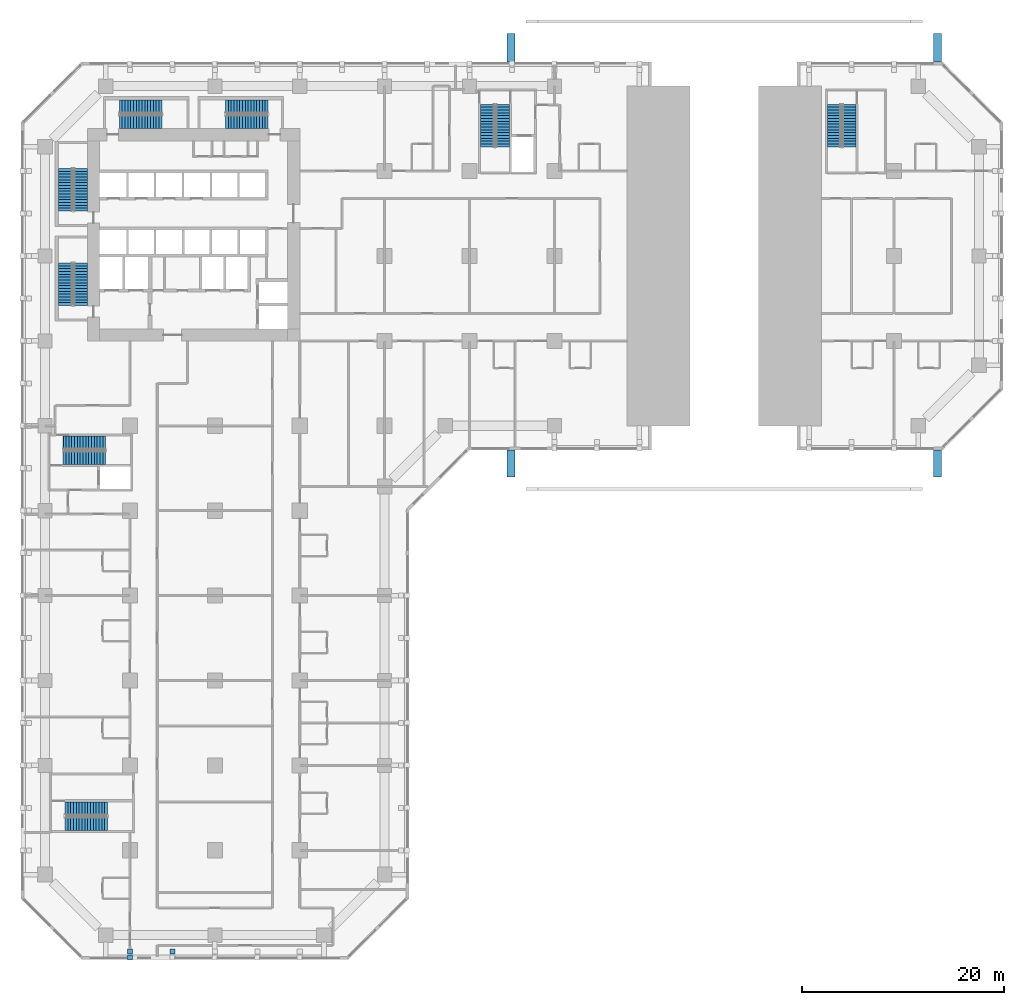
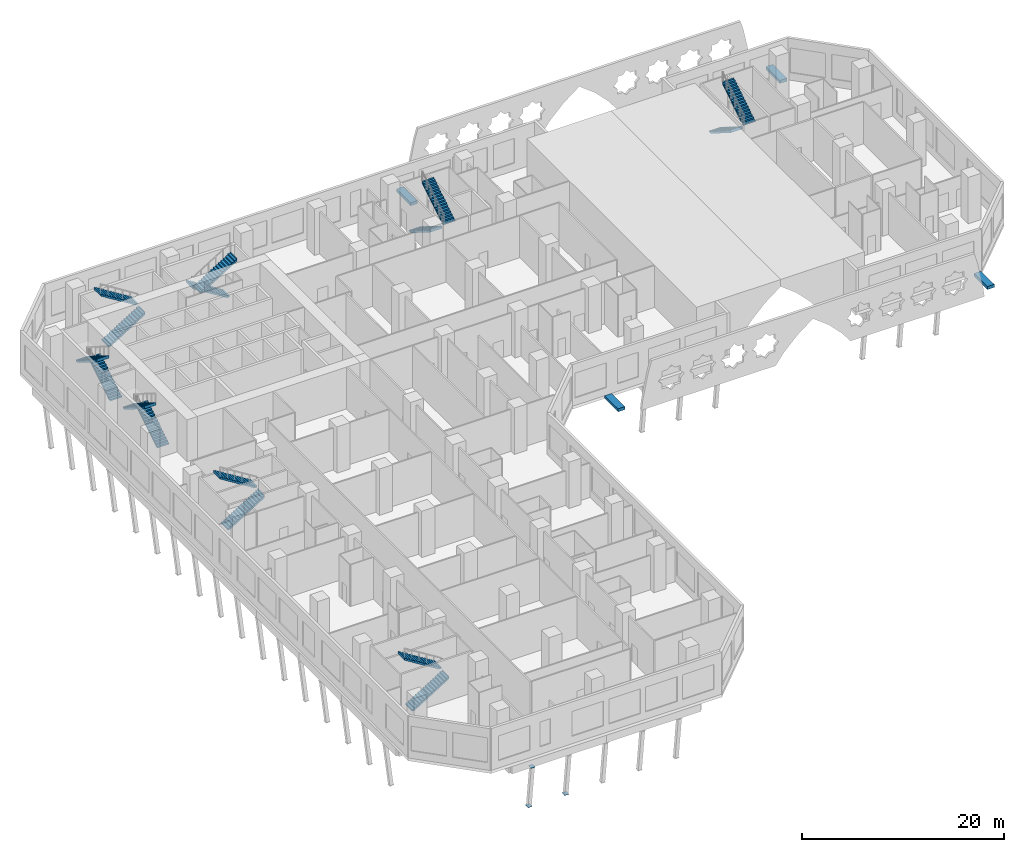
# One storey, part 15 of 24: 16 stair flights, 7 discrete accessories, 8 elements without a shape of their own.
"""IFC4 building model written with IfcOpenShell, lengths in metres."""

from ifc_helpers import new_model, si_unit, direction, frame, origin, origin_2d, place, context, subcontext, project, spatial, polyline, rectangle, outline, extrude, material, material_profile, profile_set, type_object, element, aggregate, save


model = new_model("IFC4")

# Units and contexts
model_context = context("Model", 3, precision=1e-05, world=origin(), true_north=direction((0.0, 1.0)))
body_context = subcontext(model_context, "Body", "Model", "MODEL_VIEW")
ifc_project = project(units=[si_unit("LENGTHUNIT", "METRE"), si_unit("AREAUNIT", "SQUARE_METRE"), si_unit("VOLUMEUNIT", "CUBIC_METRE"), si_unit("PLANEANGLEUNIT", "RADIAN"), si_unit("MASSUNIT", "GRAM", prefix="KILO")], contexts=[model_context])

# Site, building, storey
site_placement = place(None, origin())
site = spatial("IfcSite", under=ifc_project, at=site_placement, CompositionType="ELEMENT")
building_placement = place(site_placement, origin())
building = spatial("IfcBuilding", under=site, at=building_placement, Name="Kawkab Arch Medical Tower", CompositionType="ELEMENT")
storey_placement = place(building_placement, frame((0.0, 0.0, 18.199951171875)))
storey = spatial("IfcBuildingStorey", under=building, at=storey_placement, Name="L04", CompositionType="ELEMENT", Elevation=18.199951171875)

# Stair, stair flights
ifc_material_1 = material(Name="Concrete C40/50", Category="concrete")
stair_type = type_object("IfcStairType", Name="Exit stair 1350", PredefinedType="HALF_TURN_STAIR", material=ifc_material_1)
placement = place(storey_placement, origin())
stair_1 = element("IfcStair", 1, at=placement, inside=storey, type_object=stair_type, Name="L04 Exit stair ST1", PredefinedType="HALF_TURN_STAIR")
ifc_material_2 = material(Name="Concrete C40/50", Category="concrete")
stair_flight_type = type_object("IfcStairFlightType", Name="Exit stair flight 1350", PredefinedType="STRAIGHT", material=ifc_material_2)
stair_flight_1_placement = place(storey_placement, frame((3.52490234375, -12.35009765625, 0.0), z_axis=(0.0, 0.0, 1.0), x_axis=(0.0, 1.0, 0.0)))
stair_flight_1 = element("IfcStairFlight", 2, at=stair_flight_1_placement, type_object=stair_flight_type, Name="ST1 flight 1", NumberOfRisers=16, NumberOfTreads=15, PredefinedType="STRAIGHT", RiserHeight=0.175, TreadLength=0.28, context=body_context, shape_type="SweptSolid", body=[
    extrude(outline(polyline([(-0.0029296875, 0.0), (-0.0029296875, 0.175048828125), (0.0, 0.175048828125), (0.280029296875, 0.175048828125), (0.280029296875, 0.35009765625), (0.56005859375, 0.35009765625), (0.56005859375, 0.52490234375), (0.840087890625, 0.52490234375), (0.840087890625, 0.699951171875), (1.1201171875, 0.699951171875), (1.1201171875, 0.875), (1.39990234375, 0.875), (1.39990234375, 1.050048828125), (1.679931640625, 1.050048828125), (1.679931640625, 1.22509765625), (1.9599609375, 1.22509765625), (1.9599609375, 1.39990234375), (2.239990234375, 1.39990234375), (2.239990234375, 1.574951171875), (2.52001953125, 1.574951171875), (2.52001953125, 1.75), (2.800048828125, 1.75), (2.800048828125, 1.925048828125), (3.080078125, 1.925048828125), (3.080078125, 2.10009765625), (3.360107421875, 2.10009765625), (3.360107421875, 2.27490234375), (3.639892578125, 2.27490234375), (3.639892578125, 2.449951171875), (3.919921875, 2.449951171875), (3.919921875, 2.625), (4.199951171875, 2.625), (4.199951171875, 2.800048828125), (4.202880859375, 2.800048828125), (4.202880859375, 2.4482421875), (4.199951171875, 2.4482421875), (0.28271484375, 0.0), (-0.0029296875, 0.0)])), frame((0.0, 0.675048828125, 0.0), z_axis=(0.0, -1.0, 0.0), x_axis=(1.0, 0.0, 0.0)), (0.0, 0.0, 1.0), 1.35009765625),
])
stair_flight_2_placement = place(storey_placement, frame((2.02490234375, -8.14990234375, 2.800048828125), z_axis=(0.0, 0.0, 1.0), x_axis=(0.0, -1.0, 0.0)))
stair_flight_2 = element("IfcStairFlight", 3, at=stair_flight_2_placement, type_object=stair_flight_type, Name="ST1 flight 2", NumberOfRisers=16, NumberOfTreads=15, PredefinedType="STRAIGHT", RiserHeight=0.175, TreadLength=0.28, context=body_context, shape_type="SweptSolid", body=[
    extrude(outline(polyline([(-0.0029296875, 0.0), (-0.0029296875, 0.175048828125), (0.0, 0.175048828125), (0.280029296875, 0.175048828125), (0.280029296875, 0.35009765625), (0.56005859375, 0.35009765625), (0.56005859375, 0.52490234375), (0.840087890625, 0.52490234375), (0.840087890625, 0.699951171875), (1.1201171875, 0.699951171875), (1.1201171875, 0.875), (1.39990234375, 0.875), (1.39990234375, 1.050048828125), (1.679931640625, 1.050048828125), (1.679931640625, 1.22509765625), (1.9599609375, 1.22509765625), (1.9599609375, 1.39990234375), (2.239990234375, 1.39990234375), (2.239990234375, 1.574951171875), (2.52001953125, 1.574951171875), (2.52001953125, 1.75), (2.800048828125, 1.75), (2.800048828125, 1.925048828125), (3.080078125, 1.925048828125), (3.080078125, 2.10009765625), (3.360107421875, 2.10009765625), (3.360107421875, 2.27490234375), (3.639892578125, 2.27490234375), (3.639892578125, 2.449951171875), (3.919921875, 2.449951171875), (3.919921875, 2.625), (4.199951171875, 2.625), (4.199951171875, 2.800048828125), (4.202880859375, 2.800048828125), (4.202880859375, 2.4482421875), (4.199951171875, 2.4482421875), (0.28271484375, 0.0), (-0.0029296875, 0.0)])), frame((0.0, 0.675048828125, 0.0), z_axis=(0.0, -1.0, 0.0), x_axis=(1.0, 0.0, 0.0)), (0.0, 0.0, 1.0), 1.35009765625),
])
aggregate(stair_1, [stair_flight_1, stair_flight_2])

stair_2 = element("IfcStair", 4, at=placement, inside=storey, type_object=stair_type, Name="L04 Exit stair ST10", PredefinedType="HALF_TURN_STAIR")
stair_flight_3_placement = place(storey_placement, frame((1.97509765625, -72.97509765625, 0.0), z_axis=(0.0, 0.0, 1.0), x_axis=(1.0, 0.0, 0.0)))
stair_flight_3 = element("IfcStairFlight", 5, at=stair_flight_3_placement, type_object=stair_flight_type, Name="ST10 flight 1", NumberOfRisers=16, NumberOfTreads=15, PredefinedType="STRAIGHT", RiserHeight=0.175, TreadLength=0.28, context=body_context, shape_type="SweptSolid", body=[
    extrude(outline(polyline([(-0.0029296875, 0.0), (-0.0029296875, 0.175048828125), (0.0, 0.175048828125), (0.280029296875, 0.175048828125), (0.280029296875, 0.35009765625), (0.56005859375, 0.35009765625), (0.56005859375, 0.52490234375), (0.840087890625, 0.52490234375), (0.840087890625, 0.699951171875), (1.1201171875, 0.699951171875), (1.1201171875, 0.875), (1.39990234375, 0.875), (1.39990234375, 1.050048828125), (1.679931640625, 1.050048828125), (1.679931640625, 1.22509765625), (1.9599609375, 1.22509765625), (1.9599609375, 1.39990234375), (2.239990234375, 1.39990234375), (2.239990234375, 1.574951171875), (2.52001953125, 1.574951171875), (2.52001953125, 1.75), (2.800048828125, 1.75), (2.800048828125, 1.925048828125), (3.080078125, 1.925048828125), (3.080078125, 2.10009765625), (3.360107421875, 2.10009765625), (3.360107421875, 2.27490234375), (3.639892578125, 2.27490234375), (3.639892578125, 2.449951171875), (3.919921875, 2.449951171875), (3.919921875, 2.625), (4.199951171875, 2.625), (4.199951171875, 2.800048828125), (4.202880859375, 2.800048828125), (4.202880859375, 2.4482421875), (4.199951171875, 2.4482421875), (0.28271484375, 0.0), (-0.0029296875, 0.0)])), frame((0.0, 0.675048828125, 0.0), z_axis=(0.0, -1.0, 0.0), x_axis=(1.0, 0.0, 0.0)), (0.0, 0.0, 1.0), 1.35009765625),
])
stair_flight_4_placement = place(storey_placement, frame((6.175048828125, -71.47509765625, 2.800048828125), z_axis=(0.0, 0.0, 1.0), x_axis=(-1.0, 0.0, 0.0)))
stair_flight_4 = element("IfcStairFlight", 6, at=stair_flight_4_placement, type_object=stair_flight_type, Name="ST10 flight 2", NumberOfRisers=16, NumberOfTreads=15, PredefinedType="STRAIGHT", RiserHeight=0.175, TreadLength=0.28, context=body_context, shape_type="SweptSolid", body=[
    extrude(outline(polyline([(-0.0029296875, 0.0), (-0.0029296875, 0.175048828125), (0.0, 0.175048828125), (0.280029296875, 0.175048828125), (0.280029296875, 0.35009765625), (0.56005859375, 0.35009765625), (0.56005859375, 0.52490234375), (0.840087890625, 0.52490234375), (0.840087890625, 0.699951171875), (1.1201171875, 0.699951171875), (1.1201171875, 0.875), (1.39990234375, 0.875), (1.39990234375, 1.050048828125), (1.679931640625, 1.050048828125), (1.679931640625, 1.22509765625), (1.9599609375, 1.22509765625), (1.9599609375, 1.39990234375), (2.239990234375, 1.39990234375), (2.239990234375, 1.574951171875), (2.52001953125, 1.574951171875), (2.52001953125, 1.75), (2.800048828125, 1.75), (2.800048828125, 1.925048828125), (3.080078125, 1.925048828125), (3.080078125, 2.10009765625), (3.360107421875, 2.10009765625), (3.360107421875, 2.27490234375), (3.639892578125, 2.27490234375), (3.639892578125, 2.449951171875), (3.919921875, 2.449951171875), (3.919921875, 2.625), (4.199951171875, 2.625), (4.199951171875, 2.800048828125), (4.202880859375, 2.800048828125), (4.202880859375, 2.4482421875), (4.199951171875, 2.4482421875), (0.28271484375, 0.0), (-0.0029296875, 0.0)])), frame((0.0, 0.675048828125, 0.0), z_axis=(0.0, -1.0, 0.0), x_axis=(1.0, 0.0, 0.0)), (0.0, 0.0, 1.0), 1.35009765625),
])
aggregate(stair_2, [stair_flight_3, stair_flight_4])

stair_3 = element("IfcStair", 7, at=placement, inside=storey, type_object=stair_type, Name="L04 Exit stair ST2", PredefinedType="HALF_TURN_STAIR")
stair_flight_5_placement = place(storey_placement, frame((3.52490234375, -21.699951171875, 0.0), z_axis=(0.0, 0.0, 1.0), x_axis=(0.0, 1.0, 0.0)))
stair_flight_5 = element("IfcStairFlight", 8, at=stair_flight_5_placement, type_object=stair_flight_type, Name="ST2 flight 1", NumberOfRisers=16, NumberOfTreads=15, PredefinedType="STRAIGHT", RiserHeight=0.175, TreadLength=0.28, context=body_context, shape_type="SweptSolid", body=[
    extrude(outline(polyline([(-0.0029296875, 0.0), (-0.0029296875, 0.175048828125), (0.0, 0.175048828125), (0.280029296875, 0.175048828125), (0.280029296875, 0.35009765625), (0.56005859375, 0.35009765625), (0.56005859375, 0.52490234375), (0.840087890625, 0.52490234375), (0.840087890625, 0.699951171875), (1.1201171875, 0.699951171875), (1.1201171875, 0.875), (1.39990234375, 0.875), (1.39990234375, 1.050048828125), (1.679931640625, 1.050048828125), (1.679931640625, 1.22509765625), (1.9599609375, 1.22509765625), (1.9599609375, 1.39990234375), (2.239990234375, 1.39990234375), (2.239990234375, 1.574951171875), (2.52001953125, 1.574951171875), (2.52001953125, 1.75), (2.800048828125, 1.75), (2.800048828125, 1.925048828125), (3.080078125, 1.925048828125), (3.080078125, 2.10009765625), (3.360107421875, 2.10009765625), (3.360107421875, 2.27490234375), (3.639892578125, 2.27490234375), (3.639892578125, 2.449951171875), (3.919921875, 2.449951171875), (3.919921875, 2.625), (4.199951171875, 2.625), (4.199951171875, 2.800048828125), (4.202880859375, 2.800048828125), (4.202880859375, 2.4482421875), (4.199951171875, 2.4482421875), (0.28271484375, 0.0), (-0.0029296875, 0.0)])), frame((0.0, 0.675048828125, 0.0), z_axis=(0.0, -1.0, 0.0), x_axis=(1.0, 0.0, 0.0)), (0.0, 0.0, 1.0), 1.35009765625),
])
stair_flight_6_placement = place(storey_placement, frame((2.02490234375, -17.5, 2.800048828125), z_axis=(0.0, 0.0, 1.0), x_axis=(0.0, -1.0, 0.0)))
stair_flight_6 = element("IfcStairFlight", 9, at=stair_flight_6_placement, type_object=stair_flight_type, Name="ST2 flight 2", NumberOfRisers=16, NumberOfTreads=15, PredefinedType="STRAIGHT", RiserHeight=0.175, TreadLength=0.28, context=body_context, shape_type="SweptSolid", body=[
    extrude(outline(polyline([(-0.0029296875, 0.0), (-0.0029296875, 0.175048828125), (0.0, 0.175048828125), (0.280029296875, 0.175048828125), (0.280029296875, 0.35009765625), (0.56005859375, 0.35009765625), (0.56005859375, 0.52490234375), (0.840087890625, 0.52490234375), (0.840087890625, 0.699951171875), (1.1201171875, 0.699951171875), (1.1201171875, 0.875), (1.39990234375, 0.875), (1.39990234375, 1.050048828125), (1.679931640625, 1.050048828125), (1.679931640625, 1.22509765625), (1.9599609375, 1.22509765625), (1.9599609375, 1.39990234375), (2.239990234375, 1.39990234375), (2.239990234375, 1.574951171875), (2.52001953125, 1.574951171875), (2.52001953125, 1.75), (2.800048828125, 1.75), (2.800048828125, 1.925048828125), (3.080078125, 1.925048828125), (3.080078125, 2.10009765625), (3.360107421875, 2.10009765625), (3.360107421875, 2.27490234375), (3.639892578125, 2.27490234375), (3.639892578125, 2.449951171875), (3.919921875, 2.449951171875), (3.919921875, 2.625), (4.199951171875, 2.625), (4.199951171875, 2.800048828125), (4.202880859375, 2.800048828125), (4.202880859375, 2.4482421875), (4.199951171875, 2.4482421875), (0.28271484375, 0.0), (-0.0029296875, 0.0)])), frame((0.0, 0.675048828125, 0.0), z_axis=(0.0, -1.0, 0.0), x_axis=(1.0, 0.0, 0.0)), (0.0, 0.0, 1.0), 1.35009765625),
])
aggregate(stair_3, [stair_flight_5, stair_flight_6])

stair_4 = element("IfcStair", 10, at=placement, inside=storey, type_object=stair_type, Name="L04 Exit stair ST3", PredefinedType="HALF_TURN_STAIR")
stair_flight_7_placement = place(storey_placement, frame((7.35009765625, -3.52490234375, 0.0), z_axis=(0.0, 0.0, 1.0), x_axis=(1.0, 0.0, 0.0)))
stair_flight_7 = element("IfcStairFlight", 11, at=stair_flight_7_placement, type_object=stair_flight_type, Name="ST3 flight 1", NumberOfRisers=16, NumberOfTreads=15, PredefinedType="STRAIGHT", RiserHeight=0.175, TreadLength=0.28, context=body_context, shape_type="SweptSolid", body=[
    extrude(outline(polyline([(-0.0029296875, 0.0), (-0.0029296875, 0.175048828125), (0.0, 0.175048828125), (0.280029296875, 0.175048828125), (0.280029296875, 0.35009765625), (0.56005859375, 0.35009765625), (0.56005859375, 0.52490234375), (0.840087890625, 0.52490234375), (0.840087890625, 0.699951171875), (1.1201171875, 0.699951171875), (1.1201171875, 0.875), (1.39990234375, 0.875), (1.39990234375, 1.050048828125), (1.679931640625, 1.050048828125), (1.679931640625, 1.22509765625), (1.9599609375, 1.22509765625), (1.9599609375, 1.39990234375), (2.239990234375, 1.39990234375), (2.239990234375, 1.574951171875), (2.52001953125, 1.574951171875), (2.52001953125, 1.75), (2.800048828125, 1.75), (2.800048828125, 1.925048828125), (3.080078125, 1.925048828125), (3.080078125, 2.10009765625), (3.360107421875, 2.10009765625), (3.360107421875, 2.27490234375), (3.639892578125, 2.27490234375), (3.639892578125, 2.449951171875), (3.919921875, 2.449951171875), (3.919921875, 2.625), (4.199951171875, 2.625), (4.199951171875, 2.800048828125), (4.202880859375, 2.800048828125), (4.202880859375, 2.4482421875), (4.199951171875, 2.4482421875), (0.28271484375, 0.0), (-0.0029296875, 0.0)])), frame((0.0, 0.675048828125, 0.0), z_axis=(0.0, -1.0, 0.0), x_axis=(1.0, 0.0, 0.0)), (0.0, 0.0, 1.0), 1.35009765625),
])
stair_flight_8_placement = place(storey_placement, frame((11.550048828125, -2.02490234375, 2.800048828125), z_axis=(0.0, 0.0, 1.0), x_axis=(-1.0, 0.0, 0.0)))
stair_flight_8 = element("IfcStairFlight", 12, at=stair_flight_8_placement, type_object=stair_flight_type, Name="ST3 flight 2", NumberOfRisers=16, NumberOfTreads=15, PredefinedType="STRAIGHT", RiserHeight=0.175, TreadLength=0.28, context=body_context, shape_type="SweptSolid", body=[
    extrude(outline(polyline([(-0.0029296875, 0.0), (-0.0029296875, 0.175048828125), (0.0, 0.175048828125), (0.280029296875, 0.175048828125), (0.280029296875, 0.35009765625), (0.56005859375, 0.35009765625), (0.56005859375, 0.52490234375), (0.840087890625, 0.52490234375), (0.840087890625, 0.699951171875), (1.1201171875, 0.699951171875), (1.1201171875, 0.875), (1.39990234375, 0.875), (1.39990234375, 1.050048828125), (1.679931640625, 1.050048828125), (1.679931640625, 1.22509765625), (1.9599609375, 1.22509765625), (1.9599609375, 1.39990234375), (2.239990234375, 1.39990234375), (2.239990234375, 1.574951171875), (2.52001953125, 1.574951171875), (2.52001953125, 1.75), (2.800048828125, 1.75), (2.800048828125, 1.925048828125), (3.080078125, 1.925048828125), (3.080078125, 2.10009765625), (3.360107421875, 2.10009765625), (3.360107421875, 2.27490234375), (3.639892578125, 2.27490234375), (3.639892578125, 2.449951171875), (3.919921875, 2.449951171875), (3.919921875, 2.625), (4.199951171875, 2.625), (4.199951171875, 2.800048828125), (4.202880859375, 2.800048828125), (4.202880859375, 2.4482421875), (4.199951171875, 2.4482421875), (0.28271484375, 0.0), (-0.0029296875, 0.0)])), frame((0.0, 0.675048828125, 0.0), z_axis=(0.0, -1.0, 0.0), x_axis=(1.0, 0.0, 0.0)), (0.0, 0.0, 1.0), 1.35009765625),
])
aggregate(stair_4, [stair_flight_7, stair_flight_8])

stair_5 = element("IfcStair", 13, at=placement, inside=storey, type_object=stair_type, Name="L04 Exit stair ST4", PredefinedType="HALF_TURN_STAIR")
stair_flight_9_placement = place(storey_placement, frame((22.050048828125, -2.02490234375, 0.0), z_axis=(0.0, 0.0, 1.0), x_axis=(-1.0, 0.0, 0.0)))
stair_flight_9 = element("IfcStairFlight", 14, at=stair_flight_9_placement, type_object=stair_flight_type, Name="ST4 flight 1", NumberOfRisers=16, NumberOfTreads=15, PredefinedType="STRAIGHT", RiserHeight=0.175, TreadLength=0.28, context=body_context, shape_type="SweptSolid", body=[
    extrude(outline(polyline([(-0.0029296875, 0.0), (-0.0029296875, 0.175048828125), (0.0, 0.175048828125), (0.280029296875, 0.175048828125), (0.280029296875, 0.35009765625), (0.56005859375, 0.35009765625), (0.56005859375, 0.52490234375), (0.840087890625, 0.52490234375), (0.840087890625, 0.699951171875), (1.1201171875, 0.699951171875), (1.1201171875, 0.875), (1.39990234375, 0.875), (1.39990234375, 1.050048828125), (1.679931640625, 1.050048828125), (1.679931640625, 1.22509765625), (1.9599609375, 1.22509765625), (1.9599609375, 1.39990234375), (2.239990234375, 1.39990234375), (2.239990234375, 1.574951171875), (2.52001953125, 1.574951171875), (2.52001953125, 1.75), (2.800048828125, 1.75), (2.800048828125, 1.925048828125), (3.080078125, 1.925048828125), (3.080078125, 2.10009765625), (3.360107421875, 2.10009765625), (3.360107421875, 2.27490234375), (3.639892578125, 2.27490234375), (3.639892578125, 2.449951171875), (3.919921875, 2.449951171875), (3.919921875, 2.625), (4.199951171875, 2.625), (4.199951171875, 2.800048828125), (4.202880859375, 2.800048828125), (4.202880859375, 2.4482421875), (4.199951171875, 2.4482421875), (0.28271484375, 0.0), (-0.0029296875, 0.0)])), frame((0.0, 0.675048828125, 0.0), z_axis=(0.0, -1.0, 0.0), x_axis=(1.0, 0.0, 0.0)), (0.0, 0.0, 1.0), 1.35009765625),
])
stair_flight_10_placement = place(storey_placement, frame((17.85009765625, -3.52490234375, 2.800048828125), z_axis=(0.0, 0.0, 1.0), x_axis=(1.0, 0.0, 0.0)))
stair_flight_10 = element("IfcStairFlight", 15, at=stair_flight_10_placement, type_object=stair_flight_type, Name="ST4 flight 2", NumberOfRisers=16, NumberOfTreads=15, PredefinedType="STRAIGHT", RiserHeight=0.175, TreadLength=0.28, context=body_context, shape_type="SweptSolid", body=[
    extrude(outline(polyline([(-0.0029296875, 0.0), (-0.0029296875, 0.175048828125), (0.0, 0.175048828125), (0.280029296875, 0.175048828125), (0.280029296875, 0.35009765625), (0.56005859375, 0.35009765625), (0.56005859375, 0.52490234375), (0.840087890625, 0.52490234375), (0.840087890625, 0.699951171875), (1.1201171875, 0.699951171875), (1.1201171875, 0.875), (1.39990234375, 0.875), (1.39990234375, 1.050048828125), (1.679931640625, 1.050048828125), (1.679931640625, 1.22509765625), (1.9599609375, 1.22509765625), (1.9599609375, 1.39990234375), (2.239990234375, 1.39990234375), (2.239990234375, 1.574951171875), (2.52001953125, 1.574951171875), (2.52001953125, 1.75), (2.800048828125, 1.75), (2.800048828125, 1.925048828125), (3.080078125, 1.925048828125), (3.080078125, 2.10009765625), (3.360107421875, 2.10009765625), (3.360107421875, 2.27490234375), (3.639892578125, 2.27490234375), (3.639892578125, 2.449951171875), (3.919921875, 2.449951171875), (3.919921875, 2.625), (4.199951171875, 2.625), (4.199951171875, 2.800048828125), (4.202880859375, 2.800048828125), (4.202880859375, 2.4482421875), (4.199951171875, 2.4482421875), (0.28271484375, 0.0), (-0.0029296875, 0.0)])), frame((0.0, 0.675048828125, 0.0), z_axis=(0.0, -1.0, 0.0), x_axis=(1.0, 0.0, 0.0)), (0.0, 0.0, 1.0), 1.35009765625),
])
aggregate(stair_5, [stair_flight_9, stair_flight_10])

stair_6 = element("IfcStair", 16, at=placement, inside=storey, type_object=stair_type, Name="L04 Exit stair ST5", PredefinedType="HALF_TURN_STAIR")
stair_flight_11_placement = place(storey_placement, frame((43.77490234375, -1.800048828125, 0.0), z_axis=(0.0, 0.0, 1.0), x_axis=(0.0, -1.0, 0.0)))
stair_flight_11 = element("IfcStairFlight", 17, at=stair_flight_11_placement, type_object=stair_flight_type, Name="ST5 flight 1", NumberOfRisers=16, NumberOfTreads=15, PredefinedType="STRAIGHT", RiserHeight=0.175, TreadLength=0.28, context=body_context, shape_type="SweptSolid", body=[
    extrude(outline(polyline([(-0.0029296875, 0.0), (-0.0029296875, 0.175048828125), (0.0, 0.175048828125), (0.280029296875, 0.175048828125), (0.280029296875, 0.35009765625), (0.56005859375, 0.35009765625), (0.56005859375, 0.52490234375), (0.840087890625, 0.52490234375), (0.840087890625, 0.699951171875), (1.1201171875, 0.699951171875), (1.1201171875, 0.875), (1.39990234375, 0.875), (1.39990234375, 1.050048828125), (1.679931640625, 1.050048828125), (1.679931640625, 1.22509765625), (1.9599609375, 1.22509765625), (1.9599609375, 1.39990234375), (2.239990234375, 1.39990234375), (2.239990234375, 1.574951171875), (2.52001953125, 1.574951171875), (2.52001953125, 1.75), (2.800048828125, 1.75), (2.800048828125, 1.925048828125), (3.080078125, 1.925048828125), (3.080078125, 2.10009765625), (3.360107421875, 2.10009765625), (3.360107421875, 2.27490234375), (3.639892578125, 2.27490234375), (3.639892578125, 2.449951171875), (3.919921875, 2.449951171875), (3.919921875, 2.625), (4.199951171875, 2.625), (4.199951171875, 2.800048828125), (4.202880859375, 2.800048828125), (4.202880859375, 2.4482421875), (4.199951171875, 2.4482421875), (0.28271484375, 0.0), (-0.0029296875, 0.0)])), frame((0.0, 0.675048828125, 0.0), z_axis=(0.0, -1.0, 0.0), x_axis=(1.0, 0.0, 0.0)), (0.0, 0.0, 1.0), 1.35009765625),
])
stair_flight_12_placement = place(storey_placement, frame((45.27490234375, -6.0, 2.800048828125), z_axis=(0.0, 0.0, 1.0), x_axis=(0.0, 1.0, 0.0)))
stair_flight_12 = element("IfcStairFlight", 18, at=stair_flight_12_placement, type_object=stair_flight_type, Name="ST5 flight 2", NumberOfRisers=16, NumberOfTreads=15, PredefinedType="STRAIGHT", RiserHeight=0.175, TreadLength=0.28, context=body_context, shape_type="SweptSolid", body=[
    extrude(outline(polyline([(-0.0029296875, 0.0), (-0.0029296875, 0.175048828125), (0.0, 0.175048828125), (0.280029296875, 0.175048828125), (0.280029296875, 0.35009765625), (0.56005859375, 0.35009765625), (0.56005859375, 0.52490234375), (0.840087890625, 0.52490234375), (0.840087890625, 0.699951171875), (1.1201171875, 0.699951171875), (1.1201171875, 0.875), (1.39990234375, 0.875), (1.39990234375, 1.050048828125), (1.679931640625, 1.050048828125), (1.679931640625, 1.22509765625), (1.9599609375, 1.22509765625), (1.9599609375, 1.39990234375), (2.239990234375, 1.39990234375), (2.239990234375, 1.574951171875), (2.52001953125, 1.574951171875), (2.52001953125, 1.75), (2.800048828125, 1.75), (2.800048828125, 1.925048828125), (3.080078125, 1.925048828125), (3.080078125, 2.10009765625), (3.360107421875, 2.10009765625), (3.360107421875, 2.27490234375), (3.639892578125, 2.27490234375), (3.639892578125, 2.449951171875), (3.919921875, 2.449951171875), (3.919921875, 2.625), (4.199951171875, 2.625), (4.199951171875, 2.800048828125), (4.202880859375, 2.800048828125), (4.202880859375, 2.4482421875), (4.199951171875, 2.4482421875), (0.28271484375, 0.0), (-0.0029296875, 0.0)])), frame((0.0, 0.675048828125, 0.0), z_axis=(0.0, -1.0, 0.0), x_axis=(1.0, 0.0, 0.0)), (0.0, 0.0, 1.0), 1.35009765625),
])
aggregate(stair_6, [stair_flight_11, stair_flight_12])

stair_7 = element("IfcStair", 19, at=placement, inside=storey, type_object=stair_type, Name="L04 Exit stair ST6", PredefinedType="HALF_TURN_STAIR")
stair_flight_13_placement = place(storey_placement, frame((1.800048828125, -36.77490234375, 0.0), z_axis=(0.0, 0.0, 1.0), x_axis=(1.0, 0.0, 0.0)))
stair_flight_13 = element("IfcStairFlight", 20, at=stair_flight_13_placement, type_object=stair_flight_type, Name="ST6 flight 1", NumberOfRisers=16, NumberOfTreads=15, PredefinedType="STRAIGHT", RiserHeight=0.175, TreadLength=0.28, context=body_context, shape_type="SweptSolid", body=[
    extrude(outline(polyline([(-0.0029296875, 0.0), (-0.0029296875, 0.175048828125), (0.0, 0.175048828125), (0.280029296875, 0.175048828125), (0.280029296875, 0.35009765625), (0.56005859375, 0.35009765625), (0.56005859375, 0.52490234375), (0.840087890625, 0.52490234375), (0.840087890625, 0.699951171875), (1.1201171875, 0.699951171875), (1.1201171875, 0.875), (1.39990234375, 0.875), (1.39990234375, 1.050048828125), (1.679931640625, 1.050048828125), (1.679931640625, 1.22509765625), (1.9599609375, 1.22509765625), (1.9599609375, 1.39990234375), (2.239990234375, 1.39990234375), (2.239990234375, 1.574951171875), (2.52001953125, 1.574951171875), (2.52001953125, 1.75), (2.800048828125, 1.75), (2.800048828125, 1.925048828125), (3.080078125, 1.925048828125), (3.080078125, 2.10009765625), (3.360107421875, 2.10009765625), (3.360107421875, 2.27490234375), (3.639892578125, 2.27490234375), (3.639892578125, 2.449951171875), (3.919921875, 2.449951171875), (3.919921875, 2.625), (4.199951171875, 2.625), (4.199951171875, 2.800048828125), (4.202880859375, 2.800048828125), (4.202880859375, 2.4482421875), (4.199951171875, 2.4482421875), (0.28271484375, 0.0), (-0.0029296875, 0.0)])), frame((0.0, 0.675048828125, 0.0), z_axis=(0.0, -1.0, 0.0), x_axis=(1.0, 0.0, 0.0)), (0.0, 0.0, 1.0), 1.35009765625),
])
stair_flight_14_placement = place(storey_placement, frame((6.0, -35.27490234375, 2.800048828125), z_axis=(0.0, 0.0, 1.0), x_axis=(-1.0, 0.0, 0.0)))
stair_flight_14 = element("IfcStairFlight", 21, at=stair_flight_14_placement, type_object=stair_flight_type, Name="ST6 flight 2", NumberOfRisers=16, NumberOfTreads=15, PredefinedType="STRAIGHT", RiserHeight=0.175, TreadLength=0.28, context=body_context, shape_type="SweptSolid", body=[
    extrude(outline(polyline([(-0.0029296875, 0.0), (-0.0029296875, 0.175048828125), (0.0, 0.175048828125), (0.280029296875, 0.175048828125), (0.280029296875, 0.35009765625), (0.56005859375, 0.35009765625), (0.56005859375, 0.52490234375), (0.840087890625, 0.52490234375), (0.840087890625, 0.699951171875), (1.1201171875, 0.699951171875), (1.1201171875, 0.875), (1.39990234375, 0.875), (1.39990234375, 1.050048828125), (1.679931640625, 1.050048828125), (1.679931640625, 1.22509765625), (1.9599609375, 1.22509765625), (1.9599609375, 1.39990234375), (2.239990234375, 1.39990234375), (2.239990234375, 1.574951171875), (2.52001953125, 1.574951171875), (2.52001953125, 1.75), (2.800048828125, 1.75), (2.800048828125, 1.925048828125), (3.080078125, 1.925048828125), (3.080078125, 2.10009765625), (3.360107421875, 2.10009765625), (3.360107421875, 2.27490234375), (3.639892578125, 2.27490234375), (3.639892578125, 2.449951171875), (3.919921875, 2.449951171875), (3.919921875, 2.625), (4.199951171875, 2.625), (4.199951171875, 2.800048828125), (4.202880859375, 2.800048828125), (4.202880859375, 2.4482421875), (4.199951171875, 2.4482421875), (0.28271484375, 0.0), (-0.0029296875, 0.0)])), frame((0.0, 0.675048828125, 0.0), z_axis=(0.0, -1.0, 0.0), x_axis=(1.0, 0.0, 0.0)), (0.0, 0.0, 1.0), 1.35009765625),
])
aggregate(stair_7, [stair_flight_13, stair_flight_14])

stair_8 = element("IfcStair", 22, at=placement, inside=storey, type_object=stair_type, Name="L04 Exit stair ST7", PredefinedType="HALF_TURN_STAIR")
stair_flight_15_placement = place(storey_placement, frame((78.074951171875, -1.800048828125, 0.0), z_axis=(0.0, 0.0, 1.0), x_axis=(0.0, -1.0, 0.0)))
stair_flight_15 = element("IfcStairFlight", 23, at=stair_flight_15_placement, type_object=stair_flight_type, Name="ST7 flight 1", NumberOfRisers=16, NumberOfTreads=15, PredefinedType="STRAIGHT", RiserHeight=0.175, TreadLength=0.28, context=body_context, shape_type="SweptSolid", body=[
    extrude(outline(polyline([(-0.0029296875, 0.0), (-0.0029296875, 0.175048828125), (0.0, 0.175048828125), (0.280029296875, 0.175048828125), (0.280029296875, 0.35009765625), (0.56005859375, 0.35009765625), (0.56005859375, 0.52490234375), (0.840087890625, 0.52490234375), (0.840087890625, 0.699951171875), (1.1201171875, 0.699951171875), (1.1201171875, 0.875), (1.39990234375, 0.875), (1.39990234375, 1.050048828125), (1.679931640625, 1.050048828125), (1.679931640625, 1.22509765625), (1.9599609375, 1.22509765625), (1.9599609375, 1.39990234375), (2.239990234375, 1.39990234375), (2.239990234375, 1.574951171875), (2.52001953125, 1.574951171875), (2.52001953125, 1.75), (2.800048828125, 1.75), (2.800048828125, 1.925048828125), (3.080078125, 1.925048828125), (3.080078125, 2.10009765625), (3.360107421875, 2.10009765625), (3.360107421875, 2.27490234375), (3.639892578125, 2.27490234375), (3.639892578125, 2.449951171875), (3.919921875, 2.449951171875), (3.919921875, 2.625), (4.199951171875, 2.625), (4.199951171875, 2.800048828125), (4.202880859375, 2.800048828125), (4.202880859375, 2.4482421875), (4.199951171875, 2.4482421875), (0.28271484375, 0.0), (-0.0029296875, 0.0)])), frame((0.0, 0.675048828125, 0.0), z_axis=(0.0, -1.0, 0.0), x_axis=(1.0, 0.0, 0.0)), (0.0, 0.0, 1.0), 1.35009765625),
])
stair_flight_16_placement = place(storey_placement, frame((79.574951171875, -6.0, 2.800048828125), z_axis=(0.0, 0.0, 1.0), x_axis=(0.0, 1.0, 0.0)))
stair_flight_16 = element("IfcStairFlight", 24, at=stair_flight_16_placement, type_object=stair_flight_type, Name="ST7 flight 2", NumberOfRisers=16, NumberOfTreads=15, PredefinedType="STRAIGHT", RiserHeight=0.175, TreadLength=0.28, context=body_context, shape_type="SweptSolid", body=[
    extrude(outline(polyline([(-0.0029296875, 0.0), (-0.0029296875, 0.175048828125), (0.0, 0.175048828125), (0.280029296875, 0.175048828125), (0.280029296875, 0.35009765625), (0.56005859375, 0.35009765625), (0.56005859375, 0.52490234375), (0.840087890625, 0.52490234375), (0.840087890625, 0.699951171875), (1.1201171875, 0.699951171875), (1.1201171875, 0.875), (1.39990234375, 0.875), (1.39990234375, 1.050048828125), (1.679931640625, 1.050048828125), (1.679931640625, 1.22509765625), (1.9599609375, 1.22509765625), (1.9599609375, 1.39990234375), (2.239990234375, 1.39990234375), (2.239990234375, 1.574951171875), (2.52001953125, 1.574951171875), (2.52001953125, 1.75), (2.800048828125, 1.75), (2.800048828125, 1.925048828125), (3.080078125, 1.925048828125), (3.080078125, 2.10009765625), (3.360107421875, 2.10009765625), (3.360107421875, 2.27490234375), (3.639892578125, 2.27490234375), (3.639892578125, 2.449951171875), (3.919921875, 2.449951171875), (3.919921875, 2.625), (4.199951171875, 2.625), (4.199951171875, 2.800048828125), (4.202880859375, 2.800048828125), (4.202880859375, 2.4482421875), (4.199951171875, 2.4482421875), (0.28271484375, 0.0), (-0.0029296875, 0.0)])), frame((0.0, 0.675048828125, 0.0), z_axis=(0.0, -1.0, 0.0), x_axis=(1.0, 0.0, 0.0)), (0.0, 0.0, 1.0), 1.35009765625),
])
aggregate(stair_8, [stair_flight_15, stair_flight_16])

# Discrete accessories
ifc_material_3 = material(Name="Galvanised steel tie bracket", Category="steel")
discrete_accessory_type_1 = type_object("IfcDiscreteAccessoryType", Name="Arch tie bracket", PredefinedType="BRACKET", material=ifc_material_3)
for number, where, z_axis, x_axis, name in (
    (25, (46.0966796875, -37.324951171875, -0.35009765625), (0.0, 0.0, 1.0), (1.0, 0.0, 0.0), "Arch tie SW L04"),
    (26, (88.303466796875, -37.324951171875, -0.35009765625), (0.0, 0.0, 1.0), (1.0, 0.0, 0.0), "Arch tie SE L04"),
):
    element("IfcDiscreteAccessory", number, at=place(storey_placement, frame(where, z_axis=z_axis, x_axis=x_axis)), inside=storey, type_object=discrete_accessory_type_1, Name=name, PredefinedType="BRACKET", context=body_context, shape_type="SweptSolid", body=[
        extrude(rectangle(XDim=0.800048828125, YDim=2.64990234375, at=origin_2d()), origin(), (0.0, 0.0, 1.0), 0.35009765625),
    ])
for number, where, z_axis, x_axis, name in (
    (27, (46.0966796875, 3.800048828125, -0.35009765625), (0.0, 0.0, 1.0), (1.0, 0.0, 0.0), "Arch tie NW L04"),
    (28, (88.303466796875, 3.800048828125, -0.35009765625), (0.0, 0.0, 1.0), (1.0, 0.0, 0.0), "Arch tie NE L04"),
):
    element("IfcDiscreteAccessory", number, at=place(storey_placement, frame(where, z_axis=z_axis, x_axis=x_axis)), inside=storey, type_object=discrete_accessory_type_1, Name=name, PredefinedType="BRACKET", context=body_context, shape_type="SweptSolid", body=[
        extrude(rectangle(XDim=0.800048828125, YDim=2.800048828125, at=origin_2d()), origin(), (0.0, 0.0, 1.0), 0.35009765625),
    ])
ifc_material_4 = material(Name="Steel S355", Category="steel")
ifc_material_profile = material_profile(ifc_material_4, rectangle(XDim=0.5, YDim=0.5, at=origin_2d()), Name="End plate 500 x 20")
ifc_profile_set = profile_set([ifc_material_profile], Name="Steel S355")
discrete_accessory_type_2 = type_object("IfcDiscreteAccessoryType", Name="End plate 500 x 20", PredefinedType="ANCHORPLATE", material=ifc_profile_set)
discrete_accessory_1_placement = place(storey_placement, frame((8.39990234375, -85.602294921875, -6.380126953125), z_axis=(0.0, 0.110431526075, -0.993883734674), x_axis=(-1.0, 0.0, 0.0)))
element("IfcDiscreteAccessory", 29, at=discrete_accessory_1_placement, inside=storey, type_object=discrete_accessory_type_2, Name="End plate PRS1", PredefinedType="ANCHORPLATE", context=body_context, shape_type="SweptSolid", body=[
    extrude(rectangle(XDim=0.5, YDim=0.5, at=origin_2d()), origin(), (0.0, 0.0, 1.0), 0.019775390625),
])
discrete_accessory_2_placement = place(storey_placement, frame((8.39990234375, -86.229248046875, -1.269775390625), z_axis=(0.0, -0.122526572003, 0.992465233221), x_axis=(1.0, 0.0, 0.0)))
element("IfcDiscreteAccessory", 30, at=discrete_accessory_2_placement, inside=storey, type_object=discrete_accessory_type_2, Name="End plate PRS1", PredefinedType="ANCHORPLATE", context=body_context, shape_type="SweptSolid", body=[
    extrude(rectangle(XDim=0.5, YDim=0.5, at=origin_2d()), origin(), (0.0, 0.0, 1.0), 0.02001953125),
])
discrete_accessory_3_placement = place(storey_placement, frame((12.60009765625, -85.602294921875, -6.380126953125), z_axis=(0.0, 0.110431526075, -0.993883734674), x_axis=(-1.0, 0.0, 0.0)))
element("IfcDiscreteAccessory", 31, at=discrete_accessory_3_placement, inside=storey, type_object=discrete_accessory_type_2, Name="End plate PRS1", PredefinedType="ANCHORPLATE", context=body_context, shape_type="SweptSolid", body=[
    extrude(rectangle(XDim=0.5, YDim=0.5, at=origin_2d()), origin(), (0.0, 0.0, 1.0), 0.019775390625),
])

save(model, "model.ifc")
